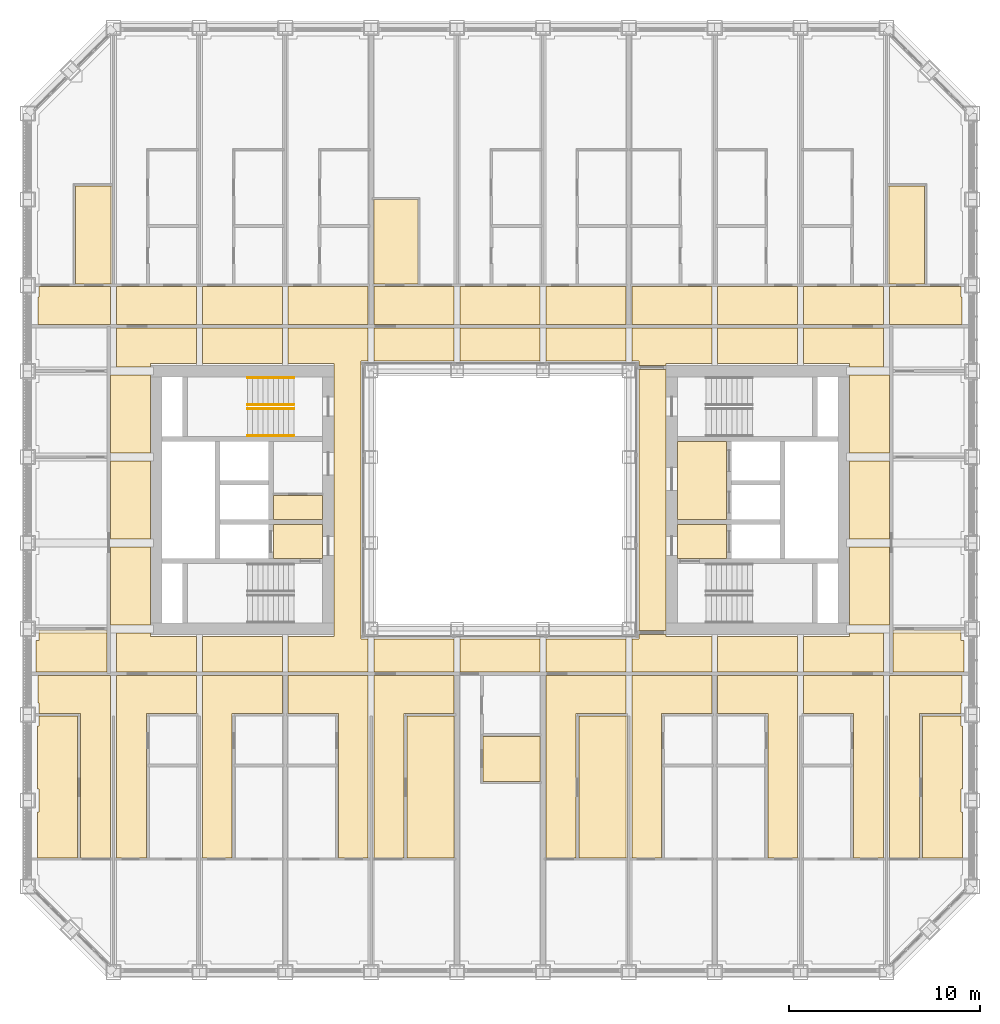
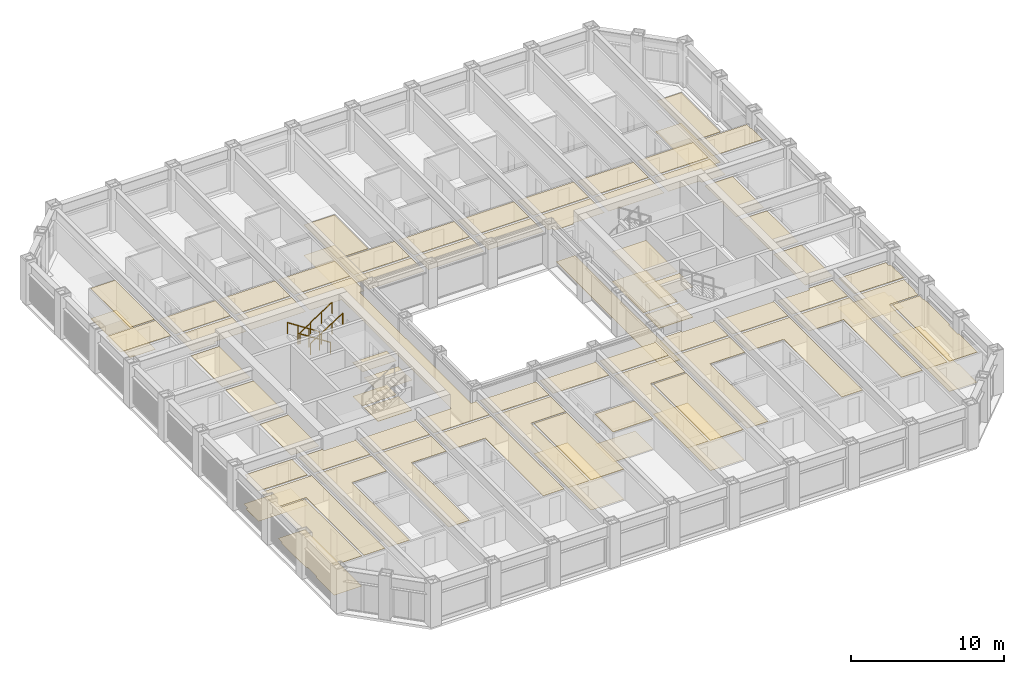
# One storey, part 18 of 21: 5 coverings, 4 railings.
"""IFC4 building model written with IfcOpenShell, lengths in metres."""

from ifc_helpers import new_model, si_unit, direction, frame, origin, origin_2d, place, context, subcontext, project, spatial, line, indexed_curve, circle, outline, extrude, material, layer, layer_set, type_object, element, save


model = new_model("IFC4")

# Units and contexts
model_context = context("Model", 3, precision=1e-05, world=origin(), true_north=direction((0.0, 1.0)))
body_context = subcontext(model_context, "Body", "Model", "MODEL_VIEW")
ifc_project = project(units=[si_unit("LENGTHUNIT", "METRE"), si_unit("AREAUNIT", "SQUARE_METRE"), si_unit("VOLUMEUNIT", "CUBIC_METRE"), si_unit("PLANEANGLEUNIT", "RADIAN"), si_unit("MASSUNIT", "GRAM", prefix="KILO")], contexts=[model_context])

# Site, building, storey
site_placement = place(None, origin())
site = spatial("IfcSite", under=ifc_project, at=site_placement, CompositionType="ELEMENT")
building_placement = place(site_placement, origin())
building = spatial("IfcBuilding", under=site, at=building_placement, Name="Msasa Ring Tower", CompositionType="ELEMENT")
storey_placement = place(building_placement, frame((0.0, 0.0, 72.0)))
storey = spatial("IfcBuildingStorey", under=building, at=storey_placement, Name="L18", CompositionType="ELEMENT", Elevation=72.0)

# Coverings
ifc_material_1 = material(Name="Gypsum plasterboard on a steel suspension grid", Category="steel")
ifc_layer_1 = layer(ifc_material_1, 0.014892578125)
ifc_layer_set_1 = layer_set([ifc_layer_1], Name="C1 SUSPENDED PLASTERBOARD CEILING 15")
covering_type_1 = type_object("IfcCoveringType", Name="C1 SUSPENDED PLASTERBOARD CEILING 15", PredefinedType="CEILING", material=ifc_layer_set_1)
covering_1_placement = place(storey_placement, frame((0.0, 0.0, 2.39990234375)))
element("IfcCovering", 1, at=covering_1_placement, inside=storey, type_object=covering_type_1, Name="Suspended Plasterboard Ceiling 15 circulation L18", PredefinedType="CEILING", context=body_context, shape_type="SweptSolid", body=[
    extrude(outline(indexed_curve([(-21.969482421875, -18.757080078125), (-21.969482421875, -11.18701171875), (-24.1494140625, -11.18701171875), (-24.1494140625, -10.6494140625), (-24.199462890625, -10.6494140625), (-24.199462890625, -9.200439453125), (-20.404296875, -9.200439453125), (-20.404296875, -18.757080078125)], segments=[line(1, 2, 3, 4, 5, 6, 7, 8, 1)], self_intersect=False)), origin(), (0.0, 0.0, 1.0), 0.01513671875),
    extrude(outline(indexed_curve([(-24.199462890625, 10.6494140625), (-24.1494140625, 10.6494140625), (-24.1494140625, 11.18701171875), (-20.404296875, 11.18701171875), (-20.404296875, 9.200439453125), (-24.199462890625, 9.200439453125)], segments=[line(1, 2, 3, 4, 5, 6, 1)], self_intersect=False)), origin(), (0.0, 0.0, 1.0), 0.01513671875),
    extrude(outline(indexed_curve([(-20.3994140625, -2.460693359375), (-18.300537109375, -2.460693359375), (-18.300537109375, -6.539306640625), (-20.3994140625, -6.539306640625)], segments=[line(1, 2, 3, 4, 1)], self_intersect=False)), origin(), (0.0, 0.0, 1.0), 0.01513671875),
    extrude(outline(indexed_curve([(-20.3994140625, 2.039306640625), (-18.300537109375, 2.039306640625), (-18.300537109375, -2.039306640625), (-20.3994140625, -2.039306640625)], segments=[line(1, 2, 3, 4, 1)], self_intersect=False)), origin(), (0.0, 0.0, 1.0), 0.01513671875),
    extrude(outline(indexed_curve([(-20.3994140625, 6.539306640625), (-18.300537109375, 6.539306640625), (-18.300537109375, 2.460693359375), (-20.3994140625, 2.460693359375)], segments=[line(1, 2, 3, 4, 1)], self_intersect=False)), origin(), (0.0, 0.0, 1.0), 0.01513671875),
    extrude(outline(indexed_curve([(-18.530517578125, -11.18701171875), (-18.530517578125, -18.757080078125), (-20.095703125, -18.757080078125), (-20.095703125, -9.200439453125), (-15.904296875, -9.200439453125), (-15.904296875, -11.18701171875)], segments=[line(1, 2, 3, 4, 5, 6, 1)], self_intersect=False)), origin(), (0.0, 0.0, 1.0), 0.01513671875),
    extrude(outline(indexed_curve([(-20.095703125, -8.99951171875), (-20.095703125, -6.960693359375), (-18.300537109375, -6.960693359375), (-18.300537109375, -7.150390625), (-15.904296875, -7.150390625), (-15.904296875, -8.99951171875)], segments=[line(1, 2, 3, 4, 5, 6, 1)], self_intersect=False)), origin(), (0.0, 0.0, 1.0), 0.01513671875),
    extrude(outline(indexed_curve([(-15.904296875, 8.99951171875), (-15.904296875, 7.150390625), (-18.300537109375, 7.150390625), (-18.300537109375, 6.960693359375), (-20.095703125, 6.960693359375), (-20.095703125, 8.99951171875)], segments=[line(1, 2, 3, 4, 5, 6, 1)], self_intersect=False)), origin(), (0.0, 0.0, 1.0), 0.01513671875),
    extrude(outline(indexed_curve([(-15.904296875, 11.18701171875), (-15.904296875, 9.200439453125), (-20.095703125, 9.200439453125), (-20.095703125, 11.18701171875)], segments=[line(1, 2, 3, 4, 1)], self_intersect=False)), origin(), (0.0, 0.0, 1.0), 0.01513671875),
    extrude(outline(indexed_curve([(-11.404296875, -9.200439453125), (-11.404296875, -11.18701171875), (-14.030517578125, -11.18701171875), (-14.030517578125, -18.757080078125), (-15.595703125, -18.757080078125), (-15.595703125, -9.200439453125)], segments=[line(1, 2, 3, 4, 5, 6, 1)], self_intersect=False)), origin(), (0.0, 0.0, 1.0), 0.01513671875),
    extrude(outline(indexed_curve([(-15.595703125, -8.99951171875), (-15.595703125, -7.150390625), (-11.404296875, -7.150390625), (-11.404296875, -8.99951171875)], segments=[line(1, 2, 3, 4, 1)], self_intersect=False)), origin(), (0.0, 0.0, 1.0), 0.01513671875),
    extrude(outline(indexed_curve([(-11.404296875, 8.99951171875), (-11.404296875, 7.150390625), (-15.595703125, 7.150390625), (-15.595703125, 8.99951171875)], segments=[line(1, 2, 3, 4, 1)], self_intersect=False)), origin(), (0.0, 0.0, 1.0), 0.01513671875),
    extrude(outline(indexed_curve([(-11.404296875, 11.18701171875), (-11.404296875, 9.200439453125), (-15.595703125, 9.200439453125), (-15.595703125, 11.18701171875)], segments=[line(1, 2, 3, 4, 1)], self_intersect=False)), origin(), (0.0, 0.0, 1.0), 0.01513671875),
    extrude(outline(indexed_curve([(-11.87451171875, -3.074462890625), (-11.87451171875, -1.275390625), (-9.300537109375, -1.275390625), (-9.300537109375, -3.074462890625)], segments=[line(1, 2, 3, 4, 1)], self_intersect=False)), origin(), (0.0, 0.0, 1.0), 0.01513671875),
    extrude(outline(indexed_curve([(-8.469482421875, -18.757080078125), (-8.469482421875, -11.18701171875), (-11.095703125, -11.18701171875), (-11.095703125, -9.200439453125), (-6.904296875, -9.200439453125), (-6.904296875, -18.757080078125)], segments=[line(1, 2, 3, 4, 5, 6, 1)], self_intersect=False)), origin(), (0.0, 0.0, 1.0), 0.01513671875),
    extrude(outline(indexed_curve([(-11.095703125, -8.99951171875), (-11.095703125, -7.150390625), (-8.699462890625, -7.150390625), (-8.699462890625, 7.150390625), (-11.095703125, 7.150390625), (-11.095703125, 8.99951171875), (-6.904296875, 8.99951171875), (-6.904296875, 7.280029296875), (-7.275390625, 7.275390625), (-7.280517578125, 7.23046875), (-7.280517578125, -7.23046875), (-7.275390625, -7.275390625), (-6.904296875, -7.280029296875), (-6.904296875, -8.99951171875)], segments=[line(1, 2, 3, 4, 5, 6, 7, 8, 9, 10, 11, 12, 13, 14, 1)], self_intersect=False)), origin(), (0.0, 0.0, 1.0), 0.01513671875),
    extrude(outline(indexed_curve([(-6.904296875, 11.18701171875), (-6.904296875, 9.200439453125), (-11.095703125, 9.200439453125), (-11.095703125, 11.18701171875)], segments=[line(1, 2, 3, 4, 1)], self_intersect=False)), origin(), (0.0, 0.0, 1.0), 0.01513671875),
    extrude(outline(indexed_curve([(-6.595703125, -18.757080078125), (-6.595703125, -9.200439453125), (-2.404296875, -9.200439453125), (-2.404296875, -11.18701171875), (-5.030517578125, -11.18701171875), (-5.030517578125, -18.757080078125)], segments=[line(1, 2, 3, 4, 5, 6, 1)], self_intersect=False)), origin(), (0.0, 0.0, 1.0), 0.01513671875),
    extrude(outline(indexed_curve([(-6.595703125, -8.99951171875), (-6.595703125, -7.280029296875), (-2.404296875, -7.280029296875), (-2.404296875, -8.99951171875)], segments=[line(1, 2, 3, 4, 1)], self_intersect=False)), origin(), (0.0, 0.0, 1.0), 0.01513671875),
    extrude(outline(indexed_curve([(-2.404296875, 8.99951171875), (-2.404296875, 7.280029296875), (-6.595703125, 7.280029296875), (-6.595703125, 8.99951171875)], segments=[line(1, 2, 3, 4, 1)], self_intersect=False)), origin(), (0.0, 0.0, 1.0), 0.01513671875),
    extrude(outline(indexed_curve([(-6.595703125, 9.200439453125), (-6.595703125, 11.18701171875), (-2.404296875, 11.18701171875), (-2.404296875, 9.200439453125)], segments=[line(1, 2, 3, 4, 1)], self_intersect=False)), origin(), (0.0, 0.0, 1.0), 0.01513671875),
    extrude(outline(indexed_curve([(-2.095703125, -8.99951171875), (-2.095703125, -7.280029296875), (2.095703125, -7.280029296875), (2.095703125, -8.99951171875)], segments=[line(1, 2, 3, 4, 1)], self_intersect=False)), origin(), (0.0, 0.0, 1.0), 0.01513671875),
    extrude(outline(indexed_curve([(2.095703125, 8.99951171875), (2.095703125, 7.280029296875), (-2.095703125, 7.280029296875), (-2.095703125, 8.99951171875)], segments=[line(1, 2, 3, 4, 1)], self_intersect=False)), origin(), (0.0, 0.0, 1.0), 0.01513671875),
    extrude(outline(indexed_curve([(-2.095703125, 9.200439453125), (-2.095703125, 11.18701171875), (2.095703125, 11.18701171875), (2.095703125, 9.200439453125)], segments=[line(1, 2, 3, 4, 1)], self_intersect=False)), origin(), (0.0, 0.0, 1.0), 0.01513671875),
    extrude(outline(indexed_curve([(3.969482421875, -11.18701171875), (3.969482421875, -18.757080078125), (2.404296875, -18.757080078125), (2.404296875, -9.200439453125), (6.595703125, -9.200439453125), (6.595703125, -11.18701171875)], segments=[line(1, 2, 3, 4, 5, 6, 1)], self_intersect=False)), origin(), (0.0, 0.0, 1.0), 0.01513671875),
    extrude(outline(indexed_curve([(2.404296875, -8.99951171875), (2.404296875, -7.280029296875), (6.595703125, -7.280029296875), (6.595703125, -8.99951171875)], segments=[line(1, 2, 3, 4, 1)], self_intersect=False)), origin(), (0.0, 0.0, 1.0), 0.01513671875),
    extrude(outline(indexed_curve([(6.595703125, 8.99951171875), (6.595703125, 7.280029296875), (2.404296875, 7.280029296875), (2.404296875, 8.99951171875)], segments=[line(1, 2, 3, 4, 1)], self_intersect=False)), origin(), (0.0, 0.0, 1.0), 0.01513671875),
    extrude(outline(indexed_curve([(2.404296875, 9.200439453125), (2.404296875, 11.18701171875), (6.595703125, 11.18701171875), (6.595703125, 9.200439453125)], segments=[line(1, 2, 3, 4, 1)], self_intersect=False)), origin(), (0.0, 0.0, 1.0), 0.01513671875),
    extrude(outline(indexed_curve([(11.095703125, -9.200439453125), (11.095703125, -11.18701171875), (8.469482421875, -11.18701171875), (8.469482421875, -18.757080078125), (6.904296875, -18.757080078125), (6.904296875, -9.200439453125)], segments=[line(1, 2, 3, 4, 5, 6, 1)], self_intersect=False)), origin(), (0.0, 0.0, 1.0), 0.01513671875),
    extrude(outline(indexed_curve([(6.904296875, -8.99951171875), (6.904296875, -7.280029296875), (7.275390625, -7.275390625), (7.280029296875, -7.050537109375), (8.699462890625, -7.050537109375), (8.699462890625, -7.150390625), (11.095703125, -7.150390625), (11.095703125, -8.99951171875)], segments=[line(1, 2, 3, 4, 5, 6, 7, 8, 1)], self_intersect=False)), origin(), (0.0, 0.0, 1.0), 0.01513671875),
    extrude(outline(indexed_curve([(11.095703125, 8.99951171875), (11.095703125, 7.150390625), (8.699462890625, 7.150390625), (8.699462890625, 7.050537109375), (7.280029296875, 7.050537109375), (7.275390625, 7.275390625), (6.904296875, 7.280029296875), (6.904296875, 8.99951171875)], segments=[line(1, 2, 3, 4, 5, 6, 7, 8, 1)], self_intersect=False)), origin(), (0.0, 0.0, 1.0), 0.01513671875),
    extrude(outline(indexed_curve([(11.095703125, 11.18701171875), (11.095703125, 9.200439453125), (6.904296875, 9.200439453125), (6.904296875, 11.18701171875)], segments=[line(1, 2, 3, 4, 1)], self_intersect=False)), origin(), (0.0, 0.0, 1.0), 0.01513671875),
    extrude(outline(indexed_curve([(9.300537109375, -3.074462890625), (9.300537109375, -1.275390625), (11.87451171875, -1.275390625), (11.87451171875, -3.074462890625)], segments=[line(1, 2, 3, 4, 1)], self_intersect=False)), origin(), (0.0, 0.0, 1.0), 0.01513671875),
    extrude(outline(indexed_curve([(9.300537109375, 3.074462890625), (11.87451171875, 3.074462890625), (11.87451171875, -1.0244140625), (9.300537109375, -1.0244140625)], segments=[line(1, 2, 3, 4, 1)], self_intersect=False)), origin(), (0.0, 0.0, 1.0), 0.01513671875),
    extrude(outline(indexed_curve([(14.030517578125, -18.757080078125), (14.030517578125, -11.18701171875), (11.404296875, -11.18701171875), (11.404296875, -9.200439453125), (15.595703125, -9.200439453125), (15.595703125, -18.757080078125)], segments=[line(1, 2, 3, 4, 5, 6, 1)], self_intersect=False)), origin(), (0.0, 0.0, 1.0), 0.01513671875),
    extrude(outline(indexed_curve([(11.404296875, -8.99951171875), (11.404296875, -7.150390625), (15.595703125, -7.150390625), (15.595703125, -8.99951171875)], segments=[line(1, 2, 3, 4, 1)], self_intersect=False)), origin(), (0.0, 0.0, 1.0), 0.01513671875),
    extrude(outline(indexed_curve([(15.595703125, 8.99951171875), (15.595703125, 7.150390625), (11.404296875, 7.150390625), (11.404296875, 8.99951171875)], segments=[line(1, 2, 3, 4, 1)], self_intersect=False)), origin(), (0.0, 0.0, 1.0), 0.01513671875),
    extrude(outline(indexed_curve([(15.595703125, 11.18701171875), (15.595703125, 9.200439453125), (11.404296875, 9.200439453125), (11.404296875, 11.18701171875)], segments=[line(1, 2, 3, 4, 1)], self_intersect=False)), origin(), (0.0, 0.0, 1.0), 0.01513671875),
    extrude(outline(indexed_curve([(18.530517578125, -18.757080078125), (18.530517578125, -11.18701171875), (15.904296875, -11.18701171875), (15.904296875, -9.200439453125), (20.095703125, -9.200439453125), (20.095703125, -18.757080078125)], segments=[line(1, 2, 3, 4, 5, 6, 1)], self_intersect=False)), origin(), (0.0, 0.0, 1.0), 0.01513671875),
    extrude(outline(indexed_curve([(15.904296875, -8.99951171875), (15.904296875, -7.150390625), (18.300537109375, -7.150390625), (18.300537109375, -6.960693359375), (20.095703125, -6.960693359375), (20.095703125, -8.99951171875)], segments=[line(1, 2, 3, 4, 5, 6, 1)], self_intersect=False)), origin(), (0.0, 0.0, 1.0), 0.01513671875),
    extrude(outline(indexed_curve([(20.095703125, 8.99951171875), (20.095703125, 6.960693359375), (18.300537109375, 6.960693359375), (18.300537109375, 7.150390625), (15.904296875, 7.150390625), (15.904296875, 8.99951171875)], segments=[line(1, 2, 3, 4, 5, 6, 1)], self_intersect=False)), origin(), (0.0, 0.0, 1.0), 0.01513671875),
    extrude(outline(indexed_curve([(20.095703125, 11.18701171875), (20.095703125, 9.200439453125), (15.904296875, 9.200439453125), (15.904296875, 11.18701171875)], segments=[line(1, 2, 3, 4, 1)], self_intersect=False)), origin(), (0.0, 0.0, 1.0), 0.01513671875),
    extrude(outline(indexed_curve([(20.3994140625, -6.539306640625), (18.300537109375, -6.539306640625), (18.300537109375, -2.460693359375), (20.3994140625, -2.460693359375)], segments=[line(1, 2, 3, 4, 1)], self_intersect=False)), origin(), (0.0, 0.0, 1.0), 0.01513671875),
    extrude(outline(indexed_curve([(20.3994140625, -2.039306640625), (18.300537109375, -2.039306640625), (18.300537109375, 2.039306640625), (20.3994140625, 2.039306640625)], segments=[line(1, 2, 3, 4, 1)], self_intersect=False)), origin(), (0.0, 0.0, 1.0), 0.01513671875),
    extrude(outline(indexed_curve([(20.3994140625, 2.460693359375), (18.300537109375, 2.460693359375), (18.300537109375, 6.539306640625), (20.3994140625, 6.539306640625)], segments=[line(1, 2, 3, 4, 1)], self_intersect=False)), origin(), (0.0, 0.0, 1.0), 0.01513671875),
    extrude(outline(indexed_curve([(24.199462890625, -9.200439453125), (24.199462890625, -10.6494140625), (24.1494140625, -10.6494140625), (24.1494140625, -11.18701171875), (21.969482421875, -11.18701171875), (21.969482421875, -18.757080078125), (20.404296875, -18.757080078125), (20.404296875, -9.200439453125)], segments=[line(1, 2, 3, 4, 5, 6, 7, 8, 1)], self_intersect=False)), origin(), (0.0, 0.0, 1.0), 0.01513671875),
    extrude(outline(indexed_curve([(24.1494140625, 11.18701171875), (24.1494140625, 10.6494140625), (24.199462890625, 10.6494140625), (24.199462890625, 9.200439453125), (20.404296875, 9.200439453125), (20.404296875, 11.18701171875)], segments=[line(1, 2, 3, 4, 5, 6, 1)], self_intersect=False)), origin(), (0.0, 0.0, 1.0), 0.01513671875),
])
ifc_material_2 = material(Name="Mineral fibre ceiling tiles on an exposed steel grid", Category="steel")
ifc_layer_2 = layer(ifc_material_2, 0.02001953125)
ifc_layer_set_2 = layer_set([ifc_layer_2], Name="C3 ACOUSTIC MINERAL FIBRE TILE CEILING 20")
covering_type_2 = type_object("IfcCoveringType", Name="C3 ACOUSTIC MINERAL FIBRE TILE CEILING 20", PredefinedType="CEILING", material=ifc_layer_set_2)
covering_2_placement = place(storey_placement, frame((0.0, 0.0, 2.699951171875)))
element("IfcCovering", 2, at=covering_2_placement, inside=storey, type_object=covering_type_2, Name="Acoustic Mineral Fibre Tile Ceiling 20 L18", PredefinedType="CEILING", context=body_context, shape_type="SweptSolid", body=[
    extrude(outline(indexed_curve([(-11.87451171875, 0.244384765625), (-9.300537109375, 0.244384765625), (-9.300537109375, -1.0244140625), (-11.87451171875, -1.0244140625)], segments=[line(1, 2, 3, 4, 1)], self_intersect=False)), origin(), (0.0, 0.0, 1.0), 0.02001953125),
])
ifc_material_3 = material(Name="Perforated aluminium ceiling pans on a steel grid", Category="steel")
ifc_layer_3 = layer(ifc_material_3, 0.02490234375)
ifc_layer_set_3 = layer_set([ifc_layer_3], Name="C4 PERFORATED METAL PAN CEILING 25")
covering_type_3 = type_object("IfcCoveringType", Name="C4 PERFORATED METAL PAN CEILING 25", PredefinedType="CEILING", material=ifc_layer_set_3)
covering_3_placement = place(storey_placement, frame((0.0, 0.0, 2.39990234375)))
element("IfcCovering", 3, at=covering_3_placement, inside=storey, type_object=covering_type_3, Name="Perforated Metal Pan Ceiling 25 L18", PredefinedType="CEILING", context=body_context, shape_type="SweptSolid", body=[
    extrude(outline(indexed_curve([(-20.6005859375, -8.99951171875), (-24.299560546875, -8.99951171875), (-24.299560546875, -7.3505859375), (-24.1494140625, -7.3505859375), (-24.1494140625, -6.960693359375), (-20.6005859375, -6.960693359375)], segments=[line(1, 2, 3, 4, 5, 6, 1)], self_intersect=False)), origin(), (0.0, 0.0, 1.0), 0.025146484375),
    extrude(outline(indexed_curve([(-24.23193359375, -18.757080078125), (-24.23193359375, -16.3505859375), (-24.1494140625, -16.3505859375), (-24.1494140625, -15.1494140625), (-24.23193359375, -15.1494140625), (-24.23193359375, -11.8505859375), (-24.1494140625, -11.8505859375), (-24.1494140625, -11.318115234375), (-22.130615234375, -11.318115234375), (-22.130615234375, -18.757080078125)], segments=[line(1, 2, 3, 4, 5, 6, 7, 8, 9, 10, 1)], self_intersect=False)), origin(), (0.0, 0.0, 1.0), 0.025146484375),
    extrude(outline(indexed_curve([(-22.24951171875, 16.4619140625), (-20.404296875, 16.4619140625), (-20.404296875, 11.31298828125), (-22.24951171875, 11.31298828125)], segments=[line(1, 2, 3, 4, 1)], self_intersect=False)), origin(), (0.0, 0.0, 1.0), 0.025146484375),
    extrude(outline(indexed_curve([(-6.595703125, 11.31298828125), (-6.595703125, 15.741943359375), (-4.300537109375, 15.741943359375), (-4.300537109375, 11.31298828125)], segments=[line(1, 2, 3, 4, 1)], self_intersect=False)), origin(), (0.0, 0.0, 1.0), 0.025146484375),
    extrude(outline(indexed_curve([(-4.869384765625, -18.757080078125), (-4.869384765625, -11.318115234375), (-2.404296875, -11.318115234375), (-2.404296875, -18.757080078125)], segments=[line(1, 2, 3, 4, 1)], self_intersect=False)), origin(), (0.0, 0.0, 1.0), 0.025146484375),
    extrude(outline(indexed_curve([(-0.8994140625, -12.380615234375), (2.095703125, -12.380615234375), (2.095703125, -14.744384765625), (-0.8994140625, -14.744384765625)], segments=[line(1, 2, 3, 4, 1)], self_intersect=False)), origin(), (0.0, 0.0, 1.0), 0.025146484375),
    extrude(outline(indexed_curve([(4.130615234375, -18.757080078125), (4.130615234375, -11.318115234375), (6.595703125, -11.318115234375), (6.595703125, -18.757080078125)], segments=[line(1, 2, 3, 4, 1)], self_intersect=False)), origin(), (0.0, 0.0, 1.0), 0.025146484375),
    extrude(outline(indexed_curve([(22.24951171875, 16.4619140625), (22.24951171875, 11.31298828125), (20.404296875, 11.31298828125), (20.404296875, 16.4619140625)], segments=[line(1, 2, 3, 4, 1)], self_intersect=False)), origin(), (0.0, 0.0, 1.0), 0.025146484375),
    extrude(outline(indexed_curve([(24.299560546875, -8.99951171875), (20.6005859375, -8.99951171875), (20.6005859375, -6.960693359375), (24.1494140625, -6.960693359375), (24.1494140625, -7.3505859375), (24.299560546875, -7.3505859375)], segments=[line(1, 2, 3, 4, 5, 6, 1)], self_intersect=False)), origin(), (0.0, 0.0, 1.0), 0.025146484375),
    extrude(outline(indexed_curve([(22.130615234375, -11.318115234375), (24.1494140625, -11.318115234375), (24.1494140625, -11.8505859375), (24.23193359375, -11.8505859375), (24.23193359375, -15.1494140625), (24.1494140625, -15.1494140625), (24.1494140625, -16.3505859375), (24.23193359375, -16.3505859375), (24.23193359375, -18.757080078125), (22.130615234375, -18.757080078125)], segments=[line(1, 2, 3, 4, 5, 6, 7, 8, 9, 10, 1)], self_intersect=False)), origin(), (0.0, 0.0, 1.0), 0.025146484375),
])
ifc_material_4 = material(Name="Honed granite tiles on a mortar bed", Category="masonry")
ifc_layer_4 = layer(ifc_material_4, 0.030029296875)
ifc_layer_set_4 = layer_set([ifc_layer_4], Name="F1 HONED GRANITE ON BEDDING 30")
covering_type_4 = type_object("IfcCoveringType", Name="F1 HONED GRANITE ON BEDDING 30", PredefinedType="FLOORING", material=ifc_layer_set_4)
covering_4_placement = place(storey_placement, origin())
element("IfcCovering", 4, at=covering_4_placement, inside=storey, type_object=covering_type_4, Name="Honed Granite On Bedding 30 L18", PredefinedType="FLOORING", context=body_context, shape_type="SweptSolid", body=[
    extrude(outline(indexed_curve([(-11.87451171875, -3.074462890625), (-11.87451171875, -1.275390625), (-9.300537109375, -1.275390625), (-9.300537109375, -3.074462890625)], segments=[line(1, 2, 3, 4, 1)], self_intersect=False)), origin(), (0.0, 0.0, 1.0), 0.030029296875),
    extrude(outline(indexed_curve([(7.280029296875, -6.849609375), (7.280029296875, 6.849609375), (8.699462890625, 6.849609375), (8.699462890625, -6.849609375)], segments=[line(1, 2, 3, 4, 1)], self_intersect=False)), origin(), (0.0, 0.0, 1.0), 0.030029296875),
    extrude(outline(indexed_curve([(9.300537109375, -3.074462890625), (9.300537109375, -1.275390625), (11.87451171875, -1.275390625), (11.87451171875, -3.074462890625)], segments=[line(1, 2, 3, 4, 1)], self_intersect=False)), origin(), (0.0, 0.0, 1.0), 0.030029296875),
    extrude(outline(indexed_curve([(9.300537109375, -1.0244140625), (9.300537109375, 3.074462890625), (11.87451171875, 3.074462890625), (11.87451171875, -1.0244140625)], segments=[line(1, 2, 3, 4, 1)], self_intersect=False)), origin(), (0.0, 0.0, 1.0), 0.030029296875),
])
ifc_material_5 = material(Name="Welded vinyl safety sheet flooring", Category="vinyl")
ifc_layer_5 = layer(ifc_material_5, 0.0029296875)
ifc_layer_set_5 = layer_set([ifc_layer_5], Name="F5 RESILIENT SHEET FLOORING 3")
covering_type_5 = type_object("IfcCoveringType", Name="F5 RESILIENT SHEET FLOORING 3", PredefinedType="FLOORING", material=ifc_layer_set_5)
covering_5_placement = place(storey_placement, origin())
element("IfcCovering", 5, at=covering_5_placement, inside=storey, type_object=covering_type_5, Name="Resilient Sheet Flooring 3 L18", PredefinedType="FLOORING", context=body_context, shape_type="SweptSolid", body=[
    extrude(outline(indexed_curve([(-20.6005859375, -8.99951171875), (-24.299560546875, -8.99951171875), (-24.299560546875, -7.3505859375), (-24.1494140625, -7.3505859375), (-24.1494140625, -6.805419921875), (-20.6005859375, -6.805419921875)], segments=[line(1, 2, 3, 4, 5, 6, 1)], self_intersect=False)), origin(), (0.0, 0.0, 1.0), 0.0029296875),
    extrude(outline(indexed_curve([(-24.23193359375, -16.3505859375), (-24.1494140625, -16.3505859375), (-24.1494140625, -15.1494140625), (-24.23193359375, -15.1494140625), (-24.23193359375, -11.8505859375), (-24.1494140625, -11.8505859375), (-24.1494140625, -11.318115234375), (-22.130615234375, -11.318115234375), (-22.130615234375, -18.74951171875), (-24.23193359375, -18.74951171875)], segments=[line(1, 2, 3, 4, 5, 6, 7, 8, 9, 10, 1)], self_intersect=False)), origin(), (0.0, 0.0, 1.0), 0.0029296875),
    extrude(outline(indexed_curve([(-22.24951171875, 16.4619140625), (-20.318115234375, 16.4619140625), (-20.318115234375, 11.31298828125), (-22.24951171875, 11.31298828125)], segments=[line(1, 2, 3, 4, 1)], self_intersect=False)), origin(), (0.0, 0.0, 1.0), 0.0029296875),
    extrude(outline(indexed_curve([(-9.300537109375, 0.244384765625), (-9.300537109375, -1.0244140625), (-11.87451171875, -1.0244140625), (-11.87451171875, 0.244384765625)], segments=[line(1, 2, 3, 4, 1)], self_intersect=False)), origin(), (0.0, 0.0, 1.0), 0.0029296875),
    extrude(outline(indexed_curve([(-4.300537109375, 15.741943359375), (-4.300537109375, 11.31298828125), (-6.62451171875, 11.31298828125), (-6.62451171875, 15.741943359375)], segments=[line(1, 2, 3, 4, 1)], self_intersect=False)), origin(), (0.0, 0.0, 1.0), 0.0029296875),
    extrude(outline(indexed_curve([(-4.869384765625, -11.318115234375), (-2.37548828125, -11.318115234375), (-2.37548828125, -18.74951171875), (-4.869384765625, -18.74951171875)], segments=[line(1, 2, 3, 4, 1)], self_intersect=False)), origin(), (0.0, 0.0, 1.0), 0.0029296875),
    extrude(outline(indexed_curve([(2.12451171875, -12.380615234375), (2.12451171875, -14.744384765625), (-0.8994140625, -14.744384765625), (-0.8994140625, -12.380615234375)], segments=[line(1, 2, 3, 4, 1)], self_intersect=False)), origin(), (0.0, 0.0, 1.0), 0.0029296875),
    extrude(outline(indexed_curve([(6.681884765625, -11.318115234375), (6.681884765625, -18.74951171875), (4.130615234375, -18.74951171875), (4.130615234375, -11.318115234375)], segments=[line(1, 2, 3, 4, 1)], self_intersect=False)), origin(), (0.0, 0.0, 1.0), 0.0029296875),
    extrude(outline(indexed_curve([(22.24951171875, 16.4619140625), (22.24951171875, 11.31298828125), (20.318115234375, 11.31298828125), (20.318115234375, 16.4619140625)], segments=[line(1, 2, 3, 4, 1)], self_intersect=False)), origin(), (0.0, 0.0, 1.0), 0.0029296875),
    extrude(outline(indexed_curve([(20.6005859375, -6.805419921875), (24.1494140625, -6.805419921875), (24.1494140625, -7.3505859375), (24.299560546875, -7.3505859375), (24.299560546875, -8.99951171875), (20.6005859375, -8.99951171875)], segments=[line(1, 2, 3, 4, 5, 6, 1)], self_intersect=False)), origin(), (0.0, 0.0, 1.0), 0.0029296875),
    extrude(outline(indexed_curve([(24.1494140625, -11.318115234375), (24.1494140625, -11.8505859375), (24.23193359375, -11.8505859375), (24.23193359375, -15.1494140625), (24.1494140625, -15.1494140625), (24.1494140625, -16.3505859375), (24.23193359375, -16.3505859375), (24.23193359375, -18.74951171875), (22.130615234375, -18.74951171875), (22.130615234375, -11.318115234375)], segments=[line(1, 2, 3, 4, 5, 6, 7, 8, 9, 10, 1)], self_intersect=False)), origin(), (0.0, 0.0, 1.0), 0.0029296875),
])

# Railings
ifc_material_6 = material(Name="Stainless steel", Category="steel")
railing_type = type_object("IfcRailingType", Name="HR1 HANDRAIL 900", PredefinedType="HANDRAIL", material=ifc_material_6)
for number, where, name in (
    (6, (-10.800048828125, 5.0, 0.175048828125), "Handrail stair SWB L18 1"),
    (7, (-10.800048828125, 6.39990234375, 0.175048828125), "Handrail stair SWB L18 2"),
):
    element("IfcRailing", number, at=place(storey_placement, frame(where)), inside=storey, type_object=railing_type, Name=name, PredefinedType="HANDRAIL", context=body_context, shape_type="SweptSolid", body=[
        extrude(circle(Radius=0.02392578125, at=origin_2d()), frame((0.0, 0.0, 0.8759765625), z_axis=(-0.839153699163, 0.0, 0.543894354798), x_axis=(0.0, -1.0, 0.0)), (0.0, 0.0, 1.0), 2.895751953125),
        extrude(circle(Radius=0.02099609375, at=origin_2d()), origin(), (0.0, 0.0, 1.0), 0.851806640625),
        extrude(circle(Radius=0.02099609375, at=origin_2d()), frame((-0.81005859375, 0.0, 0.52490234375)), (0.0, 0.0, 1.0), 0.851806640625),
        extrude(circle(Radius=0.02099609375, at=origin_2d()), frame((-1.619873046875, 0.0, 1.050048828125)), (0.0, 0.0, 1.0), 0.851806640625),
        extrude(circle(Radius=0.02099609375, at=origin_2d()), frame((-2.429931640625, 0.0, 1.574951171875)), (0.0, 0.0, 1.0), 0.851806640625),
    ])
for number, where, name in (
    (8, (-13.22998046875, 3.375, 1.925048828125), "Handrail stair SWB L18 3"),
    (9, (-13.22998046875, 4.77490234375, 1.925048828125), "Handrail stair SWB L18 4"),
):
    element("IfcRailing", number, at=place(storey_placement, frame(where)), inside=storey, type_object=railing_type, Name=name, PredefinedType="HANDRAIL", context=body_context, shape_type="SweptSolid", body=[
        extrude(circle(Radius=0.02392578125, at=origin_2d()), frame((0.0, 0.0, 0.8759765625), z_axis=(0.839153699163, 0.0, 0.543894354798), x_axis=(0.0, 1.0, 0.0)), (0.0, 0.0, 1.0), 2.895751953125),
        extrude(circle(Radius=0.02099609375, at=origin_2d()), origin(), (0.0, 0.0, 1.0), 0.851806640625),
        extrude(circle(Radius=0.02099609375, at=origin_2d()), frame((0.81005859375, 0.0, 0.52490234375)), (0.0, 0.0, 1.0), 0.851806640625),
        extrude(circle(Radius=0.02099609375, at=origin_2d()), frame((1.619873046875, 0.0, 1.050048828125)), (0.0, 0.0, 1.0), 0.851806640625),
        extrude(circle(Radius=0.02099609375, at=origin_2d()), frame((2.429931640625, 0.0, 1.574951171875)), (0.0, 0.0, 1.0), 0.851806640625),
    ])

save(model, "model.ifc")
